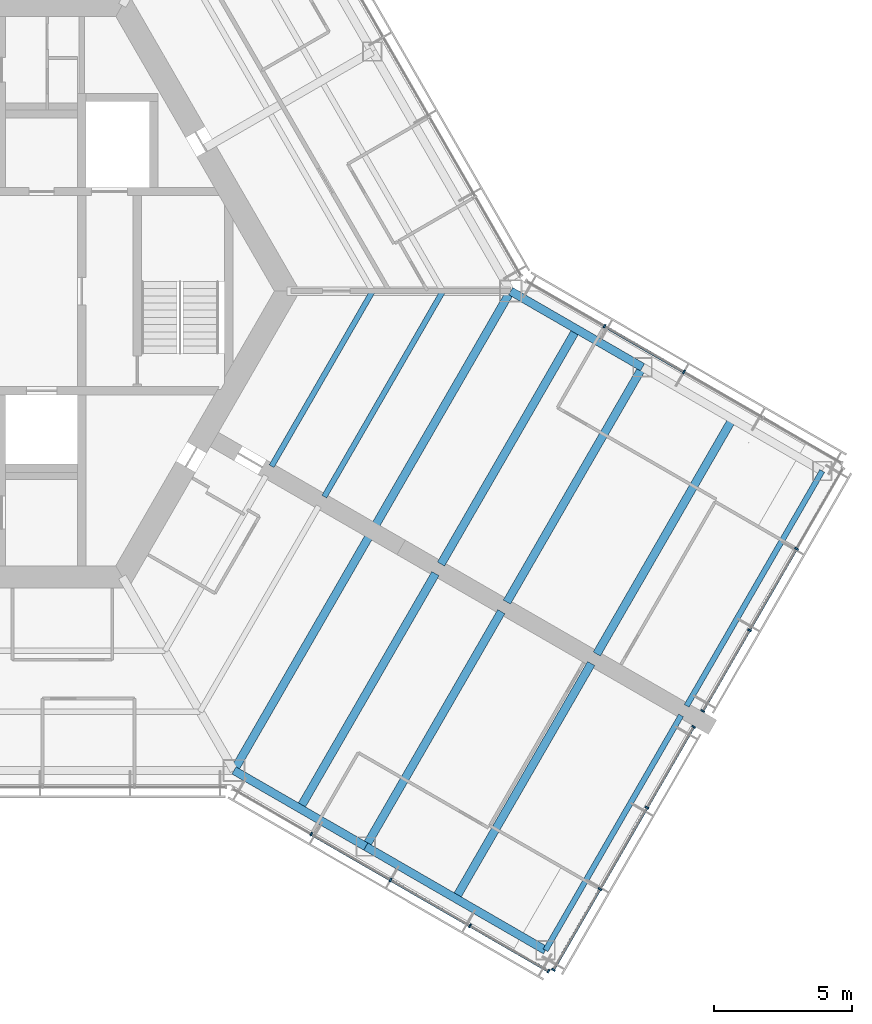
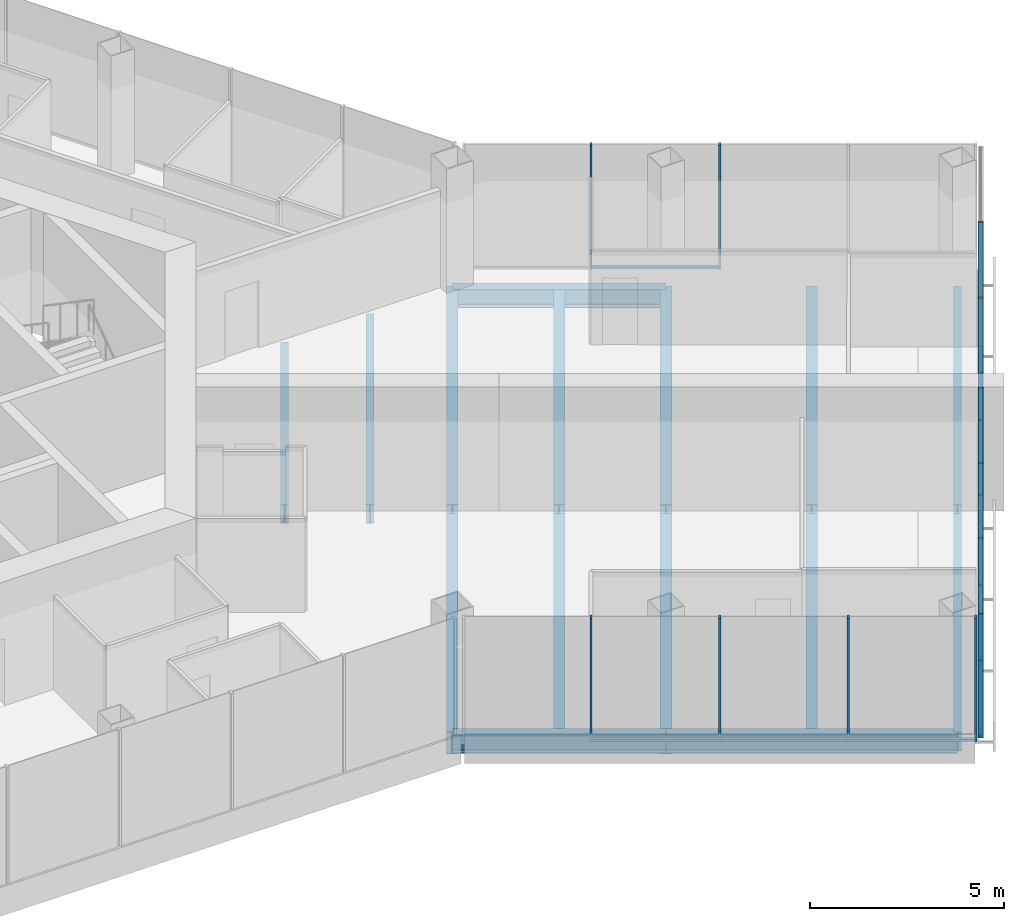
# One storey, part 4 of 17: 22 members, 15 beams, 4 elements without a shape of their own.
"""IFC4 building model written with IfcOpenShell, lengths in metres."""

from ifc_helpers import new_model, si_unit, direction, frame, origin, origin_2d, place, context, subcontext, project, spatial, rectangle, i_section, extrude, material, material_profile, profile_set, type_object, element, aggregate, save


model = new_model("IFC4")

# Units and contexts
model_context = context("Model", 3, precision=1e-05, world=origin(), true_north=direction((0.0, 1.0)))
body_context = subcontext(model_context, "Body", "Model", "MODEL_VIEW")
ifc_project = project(units=[si_unit("LENGTHUNIT", "METRE"), si_unit("AREAUNIT", "SQUARE_METRE"), si_unit("VOLUMEUNIT", "CUBIC_METRE"), si_unit("PLANEANGLEUNIT", "RADIAN"), si_unit("MASSUNIT", "GRAM", prefix="KILO")], contexts=[model_context])

# Site, building, storey
site_placement = place(None, origin())
site = spatial("IfcSite", under=ifc_project, at=site_placement, CompositionType="ELEMENT")
building_placement = place(site_placement, origin())
building = spatial("IfcBuilding", under=site, at=building_placement, Name="Kasaneha Research Tower", CompositionType="ELEMENT")
storey_placement = place(building_placement, frame((0.0, 0.0, 228.39990234375)))
storey = spatial("IfcBuildingStorey", under=building, at=storey_placement, Name="L57", CompositionType="ELEMENT", Elevation=228.39990234375)

# Beams
ifc_material_1 = material(Name="Steel SN490B", Category="steel")
ifc_material_profile_1 = material_profile(ifc_material_1, i_section(OverallWidth=0.199951171875, OverallDepth=0.60009765625, WebThickness=0.010986328125, FlangeThickness=0.01708984375, FilletRadius=0.012939453125, at=origin_2d()), Name="H-600x200x11x17")
ifc_profile_set_1 = profile_set([ifc_material_profile_1], Name="Steel SN490B")
beam_type_1 = type_object("IfcBeamType", Name="B1-3 secondary beam H-600x200x11x17", PredefinedType="JOIST", material=ifc_profile_set_1)
beam_1_placement = place(storey_placement, frame((15.010986328125, 0.0, -0.449951171875), z_axis=(-0.499974128195, -0.866040340363, 0.0), x_axis=(0.866040340363, -0.499974128195, 0.0)))
element("IfcBeam", 1, at=beam_1_placement, inside=storey, type_object=beam_type_1, Name="Secondary beam RS330R1 L57", PredefinedType="JOIST", context=body_context, shape_type="SweptSolid", body=[
    extrude(i_section(OverallWidth=0.199951171875, OverallDepth=0.60009765625, WebThickness=0.010986328125, FlangeThickness=0.01708984375, FilletRadius=0.012939453125, at=origin_2d()), origin(), (0.0, 0.0, 1.0), 7.3056640625),
])
beam_2_placement = place(storey_placement, frame((17.551513671875, 0.0, -0.449951171875), z_axis=(-0.500000102728, -0.866025344474, 0.0), x_axis=(0.866025344474, -0.500000102728, 0.0)))
element("IfcBeam", 2, at=beam_2_placement, inside=storey, type_object=beam_type_1, Name="Secondary beam RS330R2 L57", PredefinedType="JOIST", context=body_context, shape_type="SweptSolid", body=[
    extrude(i_section(OverallWidth=0.199951171875, OverallDepth=0.60009765625, WebThickness=0.010986328125, FlangeThickness=0.01708984375, FilletRadius=0.012939453125, at=origin_2d()), origin(), (0.0, 0.0, 1.0), 8.57568359375),
])
ifc_material_2 = material(Name="Steel SN490B", Category="steel")
ifc_material_profile_2 = material_profile(ifc_material_2, i_section(OverallWidth=0.300048828125, OverallDepth=0.58203125, WebThickness=0.011962890625, FlangeThickness=0.01708984375, FilletRadius=0.012939453125, at=origin_2d()), Name="H-582x300x12x17")
ifc_profile_set_2 = profile_set([ifc_material_profile_2], Name="Steel SN490B")
beam_type_2 = type_object("IfcBeamType", Name="B2-3 secondary beam H-582x300x12x17", PredefinedType="JOIST", material=ifc_profile_set_2)
for number, where, z_axis, x_axis, name in (
    (3, (12.381591796875, -18.695556640625, -0.44091796875), (0.49999201416, 0.866030014362, 0.0), (-0.866030014362, 0.49999201416, 0.0), "Secondary beam WBCP1 L57"),
    (4, (18.0107421875, -21.945556640625, -0.44091796875), (0.49999201416, 0.866030014362, 0.0), (-0.866030014362, 0.49999201416, 0.0), "Secondary beam WBCP2 L57"),
    (5, (22.381591796875, -1.375, -0.44091796875), (-0.49999201416, -0.866030014362, 0.0), (0.866030014362, -0.49999201416, 0.0), "Secondary beam WBCN1 L57"),
    (6, (28.0107421875, -4.625, -0.44091796875), (-0.49999201416, -0.866030014362, 0.0), (0.866030014362, -0.49999201416, 0.0), "Secondary beam WBCN2 L57"),
):
    element("IfcBeam", number, at=place(storey_placement, frame(where, z_axis=z_axis, x_axis=x_axis)), inside=storey, type_object=beam_type_2, Name=name, PredefinedType="JOIST", context=body_context, shape_type="SweptSolid", body=[
        extrude(i_section(OverallWidth=0.300048828125, OverallDepth=0.58203125, WebThickness=0.011962890625, FlangeThickness=0.01708984375, FilletRadius=0.012939453125, at=origin_2d()), origin(), (0.0, 0.0, 1.0), 9.800048828125),
    ])

# Curtain wall, members
ifc_material_3 = material(Name="Glass and aluminium", Category="aluminium")
curtain_wall_type = type_object("IfcCurtainWallType", Name="High-rise office curtain wall", PredefinedType="USERDEFINED", material=ifc_material_3)
curtain_wall_1_placement = place(storey_placement, origin())
curtain_wall_1 = element("IfcCurtainWall", 7, at=curtain_wall_1_placement, inside=storey, type_object=curtain_wall_type, Name="CW-O3 L57 run 06a", ObjectType="UNITISED CURTAIN WALL", PredefinedType="USERDEFINED")
ifc_material_4 = material(Name="Aluminium 6063-T6", Category="aluminium")
ifc_material_profile_3 = material_profile(ifc_material_4, rectangle(XDim=0.06005859375, YDim=0.139892578125, at=origin_2d()), Name="CW-O3 mullion 60x140")
ifc_profile_set_3 = profile_set([ifc_material_profile_3], Name="Aluminium 6063-T6")
member_type_1 = type_object("IfcMemberType", Name="CW-O3 mullion", PredefinedType="MULLION", material=ifc_profile_set_3)
member_1_placement = place(storey_placement, frame((12.792236328125, -19.62548828125, 0.0), z_axis=(0.0, 0.0, 1.0), x_axis=(0.866025411464, -0.499999986699, 0.0)))
member_1 = element("IfcMember", 8, at=member_1_placement, type_object=member_type_1, Name="CW-O3 mullion 2", PredefinedType="MULLION", context=body_context, shape_type="SweptSolid", body=[
    extrude(rectangle(XDim=0.06005859375, YDim=0.139892578125, at=origin_2d()), origin(), (0.0, 0.0, 1.0), 3.900146484375),
])
member_2_placement = place(storey_placement, frame((15.65869140625, -21.2802734375, 0.0), z_axis=(0.0, 0.0, 1.0), x_axis=(0.866025411464, -0.499999986699, 0.0)))
member_2 = element("IfcMember", 9, at=member_2_placement, type_object=member_type_1, Name="CW-O3 mullion 3", PredefinedType="MULLION", context=body_context, shape_type="SweptSolid", body=[
    extrude(rectangle(XDim=0.06005859375, YDim=0.139892578125, at=origin_2d()), origin(), (0.0, 0.0, 1.0), 3.900146484375),
])
member_3_placement = place(storey_placement, frame((18.52490234375, -22.935302734375, 0.0), z_axis=(0.0, 0.0, 1.0), x_axis=(0.866025411464, -0.499999986699, 0.0)))
member_3 = element("IfcMember", 10, at=member_3_placement, type_object=member_type_1, Name="CW-O3 mullion 4", PredefinedType="MULLION", context=body_context, shape_type="SweptSolid", body=[
    extrude(rectangle(XDim=0.06005859375, YDim=0.139892578125, at=origin_2d()), origin(), (0.0, 0.0, 1.0), 3.900146484375),
])
member_4_placement = place(storey_placement, frame((21.365478515625, -24.5751953125, 0.0), z_axis=(0.0, 0.0, 1.0), x_axis=(0.866025411464, -0.499999986699, 0.0)))
member_4 = element("IfcMember", 11, at=member_4_placement, type_object=member_type_1, Name="CW-O3 mullion 5", PredefinedType="MULLION", context=body_context, shape_type="SweptSolid", body=[
    extrude(rectangle(XDim=0.06005859375, YDim=0.139892578125, at=origin_2d()), origin(), (0.0, 0.0, 1.0), 3.900146484375),
])

curtain_wall_2_placement = place(storey_placement, origin())
curtain_wall_2 = element("IfcCurtainWall", 12, at=curtain_wall_2_placement, inside=storey, type_object=curtain_wall_type, Name="CW-O3 L57 run 07a", ObjectType="UNITISED CURTAIN WALL", PredefinedType="USERDEFINED")
member_5_placement = place(storey_placement, frame((21.54296875, -24.527587890625, 0.0), z_axis=(0.0, 0.0, 1.0), x_axis=(0.500000011442, 0.866025397178, 0.0)))
member_5 = element("IfcMember", 13, at=member_5_placement, type_object=member_type_1, Name="CW-O3 mullion 1", PredefinedType="MULLION", context=body_context, shape_type="SweptSolid", body=[
    extrude(rectangle(XDim=0.06005859375, YDim=0.139892578125, at=origin_2d()), origin(), (0.0, 0.0, 1.0), 3.900146484375),
])
member_6_placement = place(storey_placement, frame((23.22802734375, -21.609130859375, 0.0), z_axis=(0.0, 0.0, 1.0), x_axis=(0.500000011442, 0.866025397178, 0.0)))
member_6 = element("IfcMember", 14, at=member_6_placement, type_object=member_type_1, Name="CW-O3 mullion 2", PredefinedType="MULLION", context=body_context, shape_type="SweptSolid", body=[
    extrude(rectangle(XDim=0.06005859375, YDim=0.139892578125, at=origin_2d()), origin(), (0.0, 0.0, 1.0), 3.900146484375),
])
member_7_placement = place(storey_placement, frame((24.927978515625, -18.66455078125, 0.0), z_axis=(0.0, 0.0, 1.0), x_axis=(0.500000011442, 0.866025397178, 0.0)))
member_7 = element("IfcMember", 15, at=member_7_placement, type_object=member_type_1, Name="CW-O3 mullion 3", PredefinedType="MULLION", context=body_context, shape_type="SweptSolid", body=[
    extrude(rectangle(XDim=0.06005859375, YDim=0.139892578125, at=origin_2d()), origin(), (0.0, 0.0, 1.0), 3.900146484375),
])
member_8_placement = place(storey_placement, frame((26.613037109375, -15.74609375, 0.0), z_axis=(0.0, 0.0, 1.0), x_axis=(0.500000011442, 0.866025397178, 0.0)))
member_8 = element("IfcMember", 16, at=member_8_placement, type_object=member_type_1, Name="CW-O3 mullion 4", PredefinedType="MULLION", context=body_context, shape_type="SweptSolid", body=[
    extrude(rectangle(XDim=0.06005859375, YDim=0.139892578125, at=origin_2d()), origin(), (0.0, 0.0, 1.0), 3.900146484375),
])

curtain_wall_3_placement = place(storey_placement, origin())
curtain_wall_3 = element("IfcCurtainWall", 17, at=curtain_wall_3_placement, inside=storey, type_object=curtain_wall_type, Name="CW-O3 L57 run 08a", ObjectType="UNITISED CURTAIN WALL", PredefinedType="USERDEFINED")
member_9_placement = place(storey_placement, frame((26.94287109375, -15.174560546875, 0.0), z_axis=(0.0, 0.0, 1.0), x_axis=(0.500000011442, 0.866025397178, 0.0)))
member_9 = element("IfcMember", 18, at=member_9_placement, type_object=member_type_1, Name="CW-O3 mullion 1", PredefinedType="MULLION", context=body_context, shape_type="SweptSolid", body=[
    extrude(rectangle(XDim=0.06005859375, YDim=0.139892578125, at=origin_2d()), origin(), (0.0, 0.0, 1.0), 3.900146484375),
])
member_10_placement = place(storey_placement, frame((28.6279296875, -12.255859375, 0.0), z_axis=(0.0, 0.0, 1.0), x_axis=(0.500000011442, 0.866025397178, 0.0)))
member_10 = element("IfcMember", 19, at=member_10_placement, type_object=member_type_1, Name="CW-O3 mullion 2", PredefinedType="MULLION", context=body_context, shape_type="SweptSolid", body=[
    extrude(rectangle(XDim=0.06005859375, YDim=0.139892578125, at=origin_2d()), origin(), (0.0, 0.0, 1.0), 3.900146484375),
])
member_11_placement = place(storey_placement, frame((30.327880859375, -9.3115234375, 0.0), z_axis=(0.0, 0.0, 1.0), x_axis=(0.500000011442, 0.866025397178, 0.0)))
member_11 = element("IfcMember", 20, at=member_11_placement, type_object=member_type_1, Name="CW-O3 mullion 3", PredefinedType="MULLION", context=body_context, shape_type="SweptSolid", body=[
    extrude(rectangle(XDim=0.06005859375, YDim=0.139892578125, at=origin_2d()), origin(), (0.0, 0.0, 1.0), 3.900146484375),
])

curtain_wall_4_placement = place(storey_placement, origin())
curtain_wall_4 = element("IfcCurtainWall", 21, at=curtain_wall_4_placement, inside=storey, type_object=curtain_wall_type, Name="CW-O3 L57 run 09a", ObjectType="UNITISED CURTAIN WALL", PredefinedType="USERDEFINED")
member_12_placement = place(storey_placement, frame((26.258544921875, -2.920654296875, 0.0), z_axis=(0.0, 0.0, 1.0), x_axis=(-0.866025411464, 0.499999986699, 0.0)))
member_12 = element("IfcMember", 22, at=member_12_placement, type_object=member_type_1, Name="CW-O3 mullion 3", PredefinedType="MULLION", context=body_context, shape_type="SweptSolid", body=[
    extrude(rectangle(XDim=0.06005859375, YDim=0.139892578125, at=origin_2d()), origin(), (0.0, 0.0, 1.0), 3.900146484375),
])
member_13_placement = place(storey_placement, frame((23.39208984375, -1.265625, 0.0), z_axis=(0.0, 0.0, 1.0), x_axis=(-0.866025411464, 0.499999986699, 0.0)))
member_13 = element("IfcMember", 23, at=member_13_placement, type_object=member_type_1, Name="CW-O3 mullion 4", PredefinedType="MULLION", context=body_context, shape_type="SweptSolid", body=[
    extrude(rectangle(XDim=0.06005859375, YDim=0.139892578125, at=origin_2d()), origin(), (0.0, 0.0, 1.0), 3.900146484375),
])

# Member
ifc_material_5 = material(Name="Aluminium 6063-T6", Category="aluminium")
ifc_material_profile_4 = material_profile(ifc_material_5, rectangle(XDim=0.10009765625, YDim=0.06005859375, at=origin_2d()), Name="CW-O3 transom 100x60")
ifc_profile_set_4 = profile_set([ifc_material_profile_4], Name="Aluminium 6063-T6")
member_type_2 = type_object("IfcMemberType", Name="CW-O3 transom", PredefinedType="USERDEFINED", material=ifc_profile_set_4)
member_14_placement = place(storey_placement, frame((12.818115234375, -19.640380859375, 0.030029296875), z_axis=(0.866015446554, -0.500017246033, 0.0), x_axis=(0.500017246033, 0.866015446554, 0.0)))
member_14 = element("IfcMember", 24, at=member_14_placement, type_object=member_type_2, Name="CW-O3 transom 2", ObjectType="TRANSOM", PredefinedType="USERDEFINED", context=body_context, shape_type="SweptSolid", body=[
    extrude(rectangle(XDim=0.10009765625, YDim=0.06005859375, at=origin_2d()), origin(), (0.0, 0.0, 1.0), 3.25),
])

member_15_placement = place(storey_placement, frame((15.6845703125, -21.29541015625, 0.030029296875), z_axis=(0.86604797581, -0.499960902066, 0.0), x_axis=(0.499960902066, 0.86604797581, 0.0)))
member_15 = element("IfcMember", 25, at=member_15_placement, type_object=member_type_2, Name="CW-O3 transom 3", ObjectType="TRANSOM", PredefinedType="USERDEFINED", context=body_context, shape_type="SweptSolid", body=[
    extrude(rectangle(XDim=0.10009765625, YDim=0.06005859375, at=origin_2d()), origin(), (0.0, 0.0, 1.0), 3.249755859375),
])

member_16_placement = place(storey_placement, frame((18.551025390625, -22.9501953125, 0.030029296875), z_axis=(0.866022692473, -0.500004696101, 0.0), x_axis=(0.500004696101, 0.866022692473, 0.0)))
member_16 = element("IfcMember", 26, at=member_16_placement, type_object=member_type_2, Name="CW-O3 transom 4", ObjectType="TRANSOM", PredefinedType="USERDEFINED", context=body_context, shape_type="SweptSolid", body=[
    extrude(rectangle(XDim=0.10009765625, YDim=0.06005859375, at=origin_2d()), origin(), (0.0, 0.0, 1.0), 3.2197265625),
])

aggregate(curtain_wall_1, [member_1, member_2, member_3, member_4, member_14, member_15, member_16])

member_17_placement = place(storey_placement, frame((21.557861328125, -24.50146484375, 0.030029296875), z_axis=(0.500018282537, 0.866014848099, 0.0), x_axis=(-0.866014848099, 0.500018282537, 0.0)))
member_17 = element("IfcMember", 27, at=member_17_placement, type_object=member_type_2, Name="CW-O3 transom 1", ObjectType="TRANSOM", PredefinedType="USERDEFINED", context=body_context, shape_type="SweptSolid", body=[
    extrude(rectangle(XDim=0.10009765625, YDim=0.06005859375, at=origin_2d()), origin(), (0.0, 0.0, 1.0), 3.31005859375),
])

member_18_placement = place(storey_placement, frame((23.242919921875, -21.5830078125, 0.030029296875), z_axis=(0.499975549825, 0.866039519639, 0.0), x_axis=(-0.866039519639, 0.499975549825, 0.0)))
member_18 = element("IfcMember", 28, at=member_18_placement, type_object=member_type_2, Name="CW-O3 transom 2", ObjectType="TRANSOM", PredefinedType="USERDEFINED", context=body_context, shape_type="SweptSolid", body=[
    extrude(rectangle(XDim=0.10009765625, YDim=0.06005859375, at=origin_2d()), origin(), (0.0, 0.0, 1.0), 3.340087890625),
])

member_19_placement = place(storey_placement, frame((24.94287109375, -18.638671875, 0.030029296875), z_axis=(0.49998634449, 0.866033287653, 0.0), x_axis=(-0.866033287653, 0.49998634449, 0.0)))
member_19 = element("IfcMember", 29, at=member_19_placement, type_object=member_type_2, Name="CW-O3 transom 3", ObjectType="TRANSOM", PredefinedType="USERDEFINED", context=body_context, shape_type="SweptSolid", body=[
    extrude(rectangle(XDim=0.10009765625, YDim=0.06005859375, at=origin_2d()), origin(), (0.0, 0.0, 1.0), 3.31005859375),
])

aggregate(curtain_wall_2, [member_5, member_6, member_7, member_8, member_17, member_18, member_19])

member_20_placement = place(storey_placement, frame((26.9580078125, -15.1484375, 0.030029296875), z_axis=(0.500018282537, 0.866014848099, 0.0), x_axis=(-0.866014848099, 0.500018282537, 0.0)))
member_20 = element("IfcMember", 30, at=member_20_placement, type_object=member_type_2, Name="CW-O3 transom 1", ObjectType="TRANSOM", PredefinedType="USERDEFINED", context=body_context, shape_type="SweptSolid", body=[
    extrude(rectangle(XDim=0.10009765625, YDim=0.06005859375, at=origin_2d()), origin(), (0.0, 0.0, 1.0), 3.31005859375),
])

member_21_placement = place(storey_placement, frame((28.64306640625, -12.22998046875, 0.030029296875), z_axis=(0.499975549825, 0.866039519639, 0.0), x_axis=(-0.866039519639, 0.499975549825, 0.0)))
member_21 = element("IfcMember", 31, at=member_21_placement, type_object=member_type_2, Name="CW-O3 transom 2", ObjectType="TRANSOM", PredefinedType="USERDEFINED", context=body_context, shape_type="SweptSolid", body=[
    extrude(rectangle(XDim=0.10009765625, YDim=0.06005859375, at=origin_2d()), origin(), (0.0, 0.0, 1.0), 3.340087890625),
])

aggregate(curtain_wall_3, [member_9, member_10, member_11, member_20, member_21])

member_22_placement = place(storey_placement, frame((26.232666015625, -2.905517578125, 0.030029296875), z_axis=(-0.86604797581, 0.499960902066, 0.0), x_axis=(-0.499960902066, -0.86604797581, 0.0)))
member_22 = element("IfcMember", 32, at=member_22_placement, type_object=member_type_2, Name="CW-O3 transom 3", ObjectType="TRANSOM", PredefinedType="USERDEFINED", context=body_context, shape_type="SweptSolid", body=[
    extrude(rectangle(XDim=0.10009765625, YDim=0.06005859375, at=origin_2d()), origin(), (0.0, 0.0, 1.0), 3.249755859375),
])

aggregate(curtain_wall_4, [member_12, member_13, member_22])

# Beams
ifc_material_6 = material(Name="Steel SN490B", Category="steel")
ifc_material_profile_5 = material_profile(ifc_material_6, i_section(OverallWidth=0.300048828125, OverallDepth=0.69189453125, WebThickness=0.012939453125, FlangeThickness=0.02001953125, FilletRadius=0.01806640625, at=origin_2d()), Name="H-692x300x13x20")
ifc_profile_set_5 = profile_set([ifc_material_profile_5], Name="Steel SN490B")
beam_type_3 = type_object("IfcBeamType", Name="G3-3 plate edge girder H-692x300x13x20", PredefinedType="BEAM", material=ifc_profile_set_5)
for number, where, z_axis, x_axis, name in (
    (33, (10.0, -17.320556640625, -0.495849609375), (0.49999201416, 0.866030014362, 0.0), (-0.866030014362, 0.49999201416, 0.0), "Plate edge girder PECP L57"),
    (34, (20.0, 0.0, -0.495849609375), (-0.49999201416, -0.866030014362, 0.0), (0.866030014362, -0.49999201416, 0.0), "Plate edge girder PECN L57"),
):
    element("IfcBeam", number, at=place(storey_placement, frame(where, z_axis=z_axis, x_axis=x_axis)), inside=storey, type_object=beam_type_3, Name=name, PredefinedType="BEAM", context=body_context, shape_type="SweptSolid", body=[
        extrude(i_section(OverallWidth=0.300048828125, OverallDepth=0.69189453125, WebThickness=0.012939453125, FlangeThickness=0.02001953125, FilletRadius=0.01806640625, at=origin_2d()), origin(), (0.0, 0.0, 1.0), 9.800048828125),
    ])
ifc_material_7 = material(Name="Steel SN490B", Category="steel")
ifc_material_profile_6 = material_profile(ifc_material_7, i_section(OverallWidth=0.300048828125, OverallDepth=0.699951171875, WebThickness=0.012939453125, FlangeThickness=0.02392578125, FilletRadius=0.01806640625, at=origin_2d()), Name="H-700x300x13x24")
ifc_profile_set_6 = profile_set([ifc_material_profile_6], Name="Steel SN490B")
beam_type_4 = type_object("IfcBeamType", Name="G4-3 wing girder H-700x300x13x24", PredefinedType="BEAM", material=ifc_profile_set_6)
for number, where, z_axis, x_axis, name in (
    (35, (14.76318359375, -20.070556640625, -0.5), (0.49999201416, 0.866030014362, 0.0), (-0.866030014362, 0.49999201416, 0.0), "Wing girder WGCP L57"),
    (36, (24.76318359375, -2.75, -0.5), (-0.500010698315, -0.866019227021, 0.0), (0.866019227021, -0.500010698315, 0.0), "Wing girder WGCN L57"),
):
    element("IfcBeam", number, at=place(storey_placement, frame(where, z_axis=z_axis, x_axis=x_axis)), inside=storey, type_object=beam_type_4, Name=name, PredefinedType="BEAM", context=body_context, shape_type="SweptSolid", body=[
        extrude(i_section(OverallWidth=0.300048828125, OverallDepth=0.699951171875, WebThickness=0.012939453125, FlangeThickness=0.02392578125, FilletRadius=0.01806640625, at=origin_2d()), origin(), (0.0, 0.0, 1.0), 9.800048828125),
    ])
ifc_material_8 = material(Name="Steel SN490B", Category="steel")
ifc_material_profile_7 = material_profile(ifc_material_8, i_section(OverallWidth=0.300048828125, OverallDepth=0.58203125, WebThickness=0.011962890625, FlangeThickness=0.01708984375, FilletRadius=0.012939453125, at=origin_2d()), Name="H-582x300x12x17")
ifc_profile_set_7 = profile_set([ifc_material_profile_7], Name="Steel SN490B")
beam_type_5 = type_object("IfcBeamType", Name="SB2-3 spandrel beam H-582x300x12x17", PredefinedType="SPANDREL", material=ifc_profile_set_7)
beam_3_placement = place(storey_placement, frame((10.0, -17.320556640625, -0.44091796875), z_axis=(0.866027397988, -0.499996545922, 0.0), x_axis=(0.499996545922, 0.866027397988, 0.0)))
element("IfcBeam", 37, at=beam_3_placement, inside=storey, type_object=beam_type_5, Name="Spandrel beam WSCP1 L57", PredefinedType="SPANDREL", context=body_context, shape_type="SweptSolid", body=[
    extrude(i_section(OverallWidth=0.300048828125, OverallDepth=0.58203125, WebThickness=0.011962890625, FlangeThickness=0.01708984375, FilletRadius=0.012939453125, at=origin_2d()), origin(), (0.0, 0.0, 1.0), 5.5),
])
beam_4_placement = place(storey_placement, frame((14.76318359375, -20.070556640625, -0.44091796875), z_axis=(0.866022959057, -0.500004234368, 0.0), x_axis=(0.500004234368, 0.866022959057, 0.0)))
element("IfcBeam", 38, at=beam_4_placement, inside=storey, type_object=beam_type_5, Name="Spandrel beam WSCP2 L57", PredefinedType="SPANDREL", context=body_context, shape_type="SweptSolid", body=[
    extrude(i_section(OverallWidth=0.300048828125, OverallDepth=0.58203125, WebThickness=0.011962890625, FlangeThickness=0.01708984375, FilletRadius=0.012939453125, at=origin_2d()), origin(), (0.0, 0.0, 1.0), 7.5),
])
beam_5_placement = place(storey_placement, frame((20.0, 0.0, -0.44091796875), z_axis=(0.866027397988, -0.499996545922, 0.0), x_axis=(0.499996545922, 0.866027397988, 0.0)))
element("IfcBeam", 39, at=beam_5_placement, inside=storey, type_object=beam_type_5, Name="Spandrel beam WSCN1 L57", PredefinedType="SPANDREL", context=body_context, shape_type="SweptSolid", body=[
    extrude(i_section(OverallWidth=0.300048828125, OverallDepth=0.58203125, WebThickness=0.011962890625, FlangeThickness=0.01708984375, FilletRadius=0.012939453125, at=origin_2d()), origin(), (0.0, 0.0, 1.0), 5.5),
])
ifc_material_9 = material(Name="Steel SN490B", Category="steel")
ifc_material_profile_8 = material_profile(ifc_material_9, i_section(OverallWidth=0.199951171875, OverallDepth=0.60009765625, WebThickness=0.010986328125, FlangeThickness=0.01708984375, FilletRadius=0.012939453125, at=origin_2d()), Name="H-600x200x11x17")
ifc_profile_set_8 = profile_set([ifc_material_profile_8], Name="Steel SN490B")
beam_type_6 = type_object("IfcBeamType", Name="SB3-3 spandrel beam H-600x200x11x17", PredefinedType="SPANDREL", material=ifc_profile_set_8)
for number, where, z_axis, x_axis, name in (
    (40, (21.25830078125, -23.820556640625, -0.449951171875), (0.500010698315, 0.866019227021, 0.0), (-0.866019227021, 0.500010698315, 0.0), "Spandrel beam WTCP L57"),
    (41, (31.25830078125, -6.5, -0.449951171875), (-0.49999201416, -0.866030014362, 0.0), (0.866030014362, -0.49999201416, 0.0), "Spandrel beam WTCN L57"),
):
    element("IfcBeam", number, at=place(storey_placement, frame(where, z_axis=z_axis, x_axis=x_axis)), inside=storey, type_object=beam_type_6, Name=name, PredefinedType="SPANDREL", context=body_context, shape_type="SweptSolid", body=[
        extrude(i_section(OverallWidth=0.199951171875, OverallDepth=0.60009765625, WebThickness=0.010986328125, FlangeThickness=0.01708984375, FilletRadius=0.012939453125, at=origin_2d()), origin(), (0.0, 0.0, 1.0), 9.800048828125),
    ])

save(model, "model.ifc")
